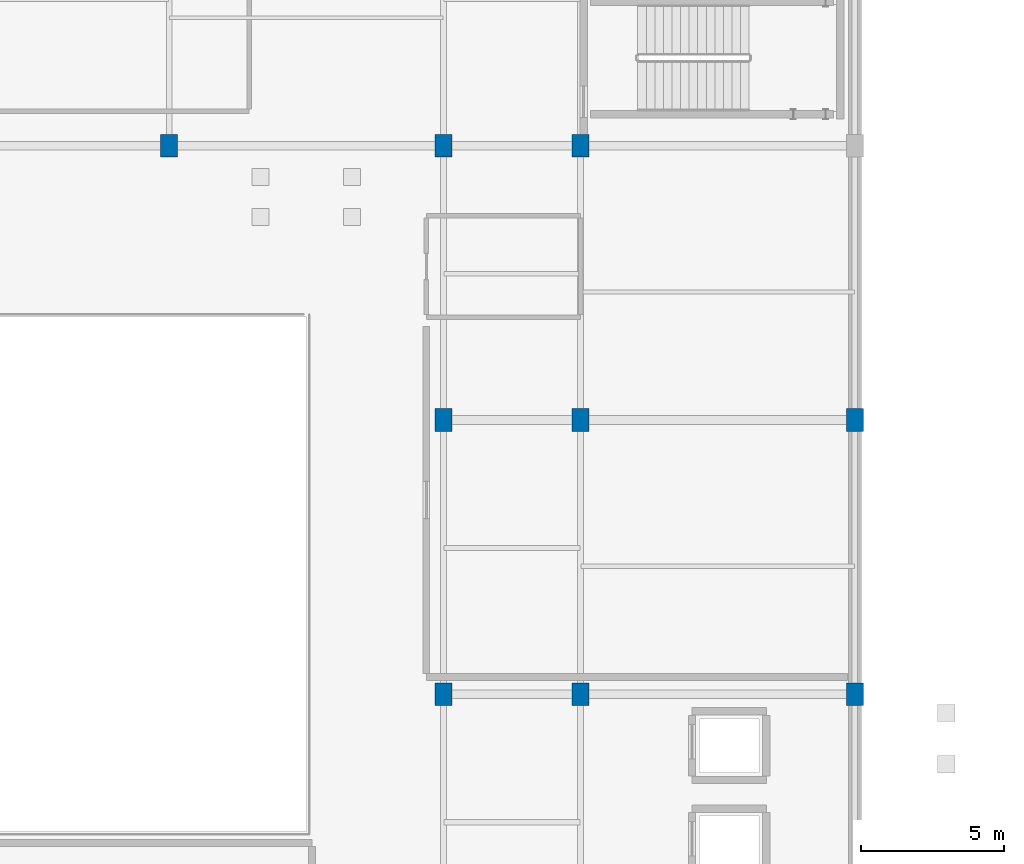
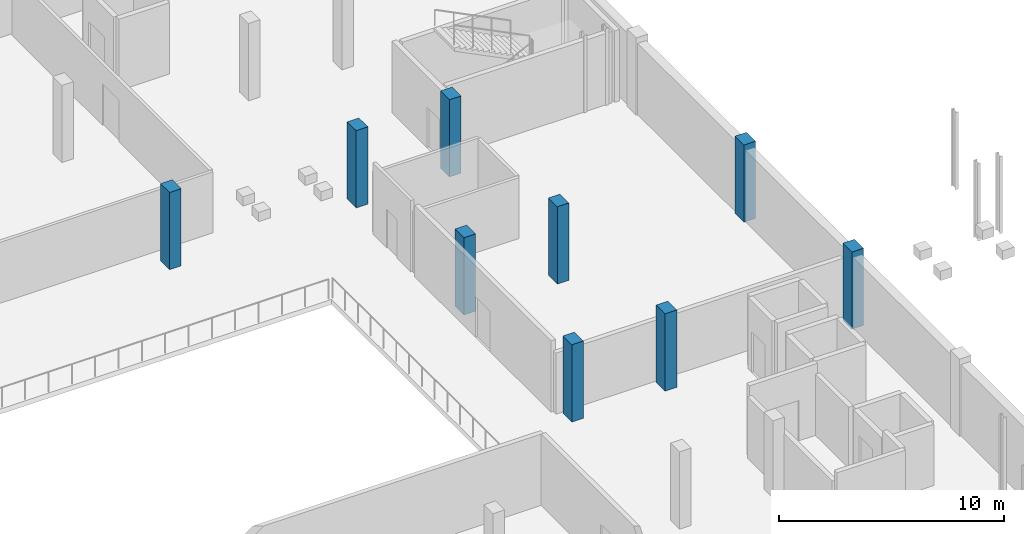
# One storey, part 14 of 47: 9 columns.
"""IFC4 building model written with IfcOpenShell, lengths in metres."""

from ifc_helpers import new_model, si_unit, direction, frame, origin, origin_2d, place, context, subcontext, project, spatial, rectangle, extrude, material, material_profile, profile_set, type_object, element, save


model = new_model("IFC4")

# Units and contexts
model_context = context("Model", 3, precision=1e-05, world=origin(), true_north=direction((0.0, 1.0)))
body_context = subcontext(model_context, "Body", "Model", "MODEL_VIEW")
ifc_project = project(units=[si_unit("LENGTHUNIT", "METRE"), si_unit("AREAUNIT", "SQUARE_METRE"), si_unit("VOLUMEUNIT", "CUBIC_METRE"), si_unit("PLANEANGLEUNIT", "RADIAN"), si_unit("MASSUNIT", "GRAM", prefix="KILO")], contexts=[model_context])

# Site, building, storey
site_placement = place(None, origin())
site = spatial("IfcSite", under=ifc_project, at=site_placement, CompositionType="ELEMENT")
building_placement = place(site_placement, origin())
building = spatial("IfcBuilding", under=site, at=building_placement, Name="Zevrakil Square Congress Hotel", CompositionType="ELEMENT")
storey_placement = place(building_placement, frame((0.0, 0.0, -4.199951171875)))
storey = spatial("IfcBuildingStorey", under=building, at=storey_placement, Name="B1", CompositionType="ELEMENT", Elevation=-4.199951171875)

# Columns
ifc_material = material(Name="Concrete C40/50", Category="concrete")
ifc_material_profile = material_profile(ifc_material, rectangle(XDim=0.60009765625, YDim=0.800048828125, at=origin_2d()), Name="RC 600x800")
ifc_profile_set = profile_set([ifc_material_profile], Name="Concrete C40/50")
column_type = type_object("IfcColumnType", Name="COL-RC600x800", PredefinedType="COLUMN", material=ifc_profile_set)
for number, where, z_axis, x_axis, name in (
    (1, (93.60009765625, 84.0, 0.0), (0.0, 0.0, 1.0), (1.0, 0.0, 0.0), "B1 column C-144"),
    (2, (103.199951171875, 64.800048828125, 0.0), (0.0, 0.0, 1.0), (1.0, 0.0, 0.0), "B1 column C-156"),
    (3, (103.199951171875, 74.39990234375, 0.0), (0.0, 0.0, 1.0), (1.0, 0.0, 0.0), "B1 column C-157"),
    (4, (103.199951171875, 84.0, 0.0), (0.0, 0.0, 1.0), (1.0, 0.0, 0.0), "B1 column C-158"),
    (5, (108.0, 64.800048828125, 0.0), (0.0, 0.0, 1.0), (1.0, 0.0, 0.0), "B1 column C-170"),
    (6, (108.0, 74.39990234375, 0.0), (0.0, 0.0, 1.0), (1.0, 0.0, 0.0), "B1 column C-171"),
    (7, (108.0, 84.0, 0.0), (0.0, 0.0, 1.0), (1.0, 0.0, 0.0), "B1 column C-172"),
    (8, (117.60009765625, 64.800048828125, 0.0), (0.0, 0.0, 1.0), (1.0, 0.0, 0.0), "B1 column C-188"),
    (9, (117.60009765625, 74.39990234375, 0.0), (0.0, 0.0, 1.0), (1.0, 0.0, 0.0), "B1 column C-189"),
):
    element("IfcColumn", number, at=place(storey_placement, frame(where, z_axis=z_axis, x_axis=x_axis)), inside=storey, type_object=column_type, Name=name, PredefinedType="COLUMN", context=body_context, shape_type="SweptSolid", body=[
        extrude(rectangle(XDim=0.60009765625, YDim=0.800048828125, at=origin_2d()), origin(), (0.0, 0.0, 1.0), 4.199951171875),
    ])

save(model, "model.ifc")
